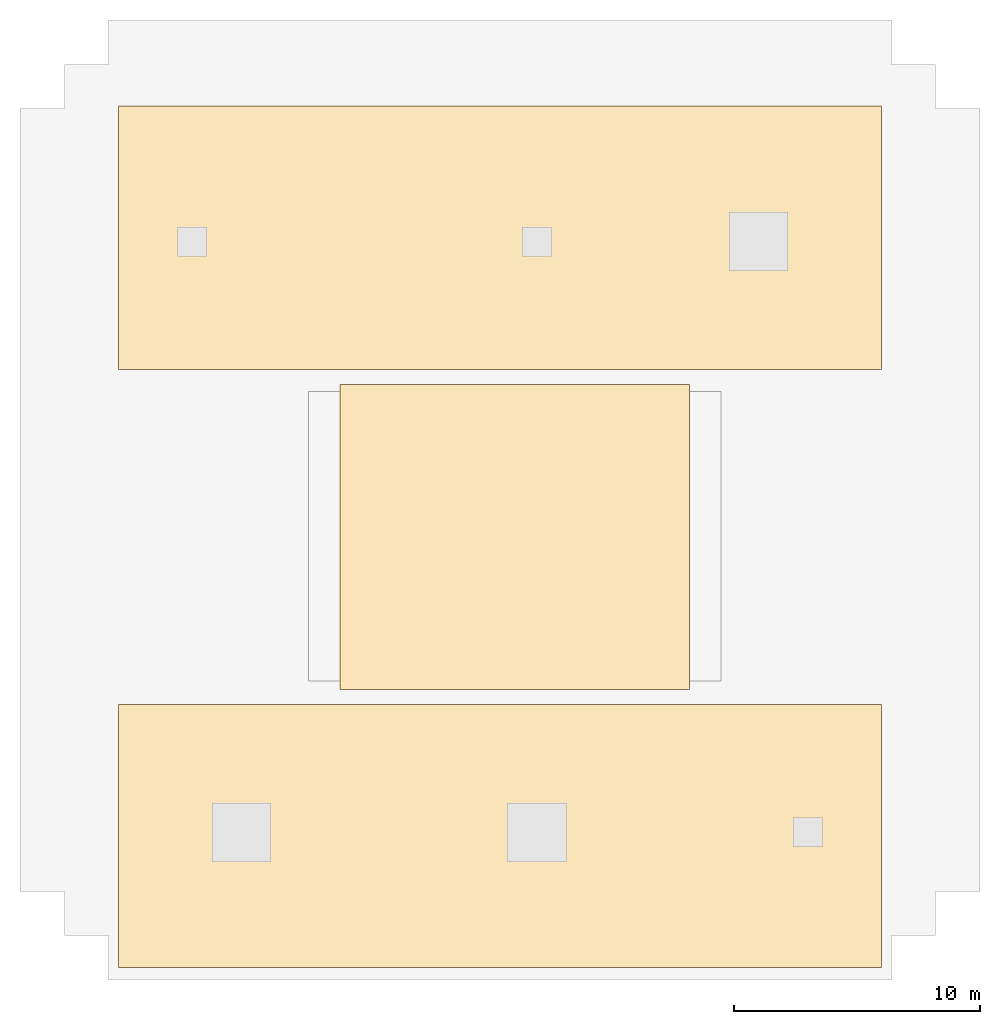
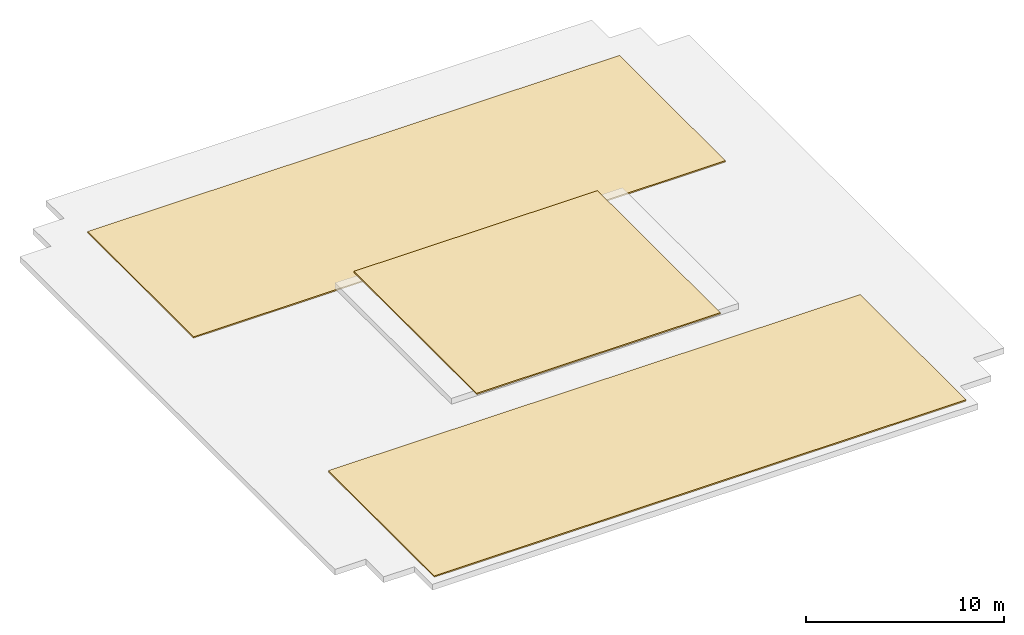
# One storey, part 2 of 2: 3 coverings.
"""IFC4 building model written with IfcOpenShell, lengths in metres."""

from ifc_helpers import new_model, si_unit, direction, frame, origin, place, context, subcontext, project, spatial, polyline, outline, extrude, material, layer, layer_set, type_object, element, save


model = new_model("IFC4")

# Units and contexts
model_context = context("Model", 3, precision=1e-05, world=origin(), true_north=direction((0.0, 1.0)))
body_context = subcontext(model_context, "Body", "Model", "MODEL_VIEW")
ifc_project = project(units=[si_unit("LENGTHUNIT", "METRE"), si_unit("AREAUNIT", "SQUARE_METRE"), si_unit("VOLUMEUNIT", "CUBIC_METRE"), si_unit("PLANEANGLEUNIT", "RADIAN"), si_unit("MASSUNIT", "GRAM", prefix="KILO")], contexts=[model_context])

# Site, building, storey
site_placement = place(None, origin())
site = spatial("IfcSite", under=ifc_project, at=site_placement, CompositionType="ELEMENT")
building_placement = place(site_placement, origin())
building = spatial("IfcBuilding", under=site, at=building_placement, Name="Khoralis Quay Care Tower", CompositionType="ELEMENT")
storey_placement = place(building_placement, frame((0.0, 0.0, 318.89990234375)))
storey = spatial("IfcBuildingStorey", under=building, at=storey_placement, Name="RF", CompositionType="ELEMENT", Elevation=318.89990234375)

# Coverings
ifc_material = material(Name="EPDM waterproofing membrane and rigid insulation")
ifc_layer = layer(ifc_material, 0.080078125)
ifc_layer_set = layer_set([ifc_layer], Name="EPDM waterproofing membrane and rigid insulation")
covering_type = type_object("IfcCoveringType", Name="COV-ROOF-80", PredefinedType="ROOFING", material=ifc_layer_set)
covering_1_placement = place(storey_placement, origin())
element("IfcCovering", 1, at=covering_1_placement, inside=storey, type_object=covering_type, Name="Tower Lantern Roof Membrane 1", PredefinedType="ROOFING", context=body_context, shape_type="SweptSolid", body=[
    extrude(outline(polyline([(7.0, 3.5), (38.0, 3.5), (38.0, 14.199951171875), (7.0, 14.199951171875), (7.0, 3.5)])), origin(), (0.0, 0.0, 1.0), 0.080078125),
])
covering_2_placement = place(storey_placement, origin())
element("IfcCovering", 2, at=covering_2_placement, inside=storey, type_object=covering_type, Name="Tower Lantern Roof Membrane 2", PredefinedType="ROOFING", context=body_context, shape_type="SweptSolid", body=[
    extrude(outline(polyline([(7.0, 27.800048828125), (38.0, 27.800048828125), (38.0, 38.5), (7.0, 38.5), (7.0, 27.800048828125)])), origin(), (0.0, 0.0, 1.0), 0.080078125),
])
covering_3_placement = place(storey_placement, frame((0.0, 0.0, 1.25)))
element("IfcCovering", 3, at=covering_3_placement, inside=storey, type_object=covering_type, Name="Tower Lantern Roof Membrane 3", PredefinedType="ROOFING", context=body_context, shape_type="SweptSolid", body=[
    extrude(outline(polyline([(16.0, 14.800048828125), (30.199951171875, 14.800048828125), (30.199951171875, 27.199951171875), (16.0, 27.199951171875), (16.0, 14.800048828125)])), origin(), (0.0, 0.0, 1.0), 0.080078125),
])

save(model, "model.ifc")
